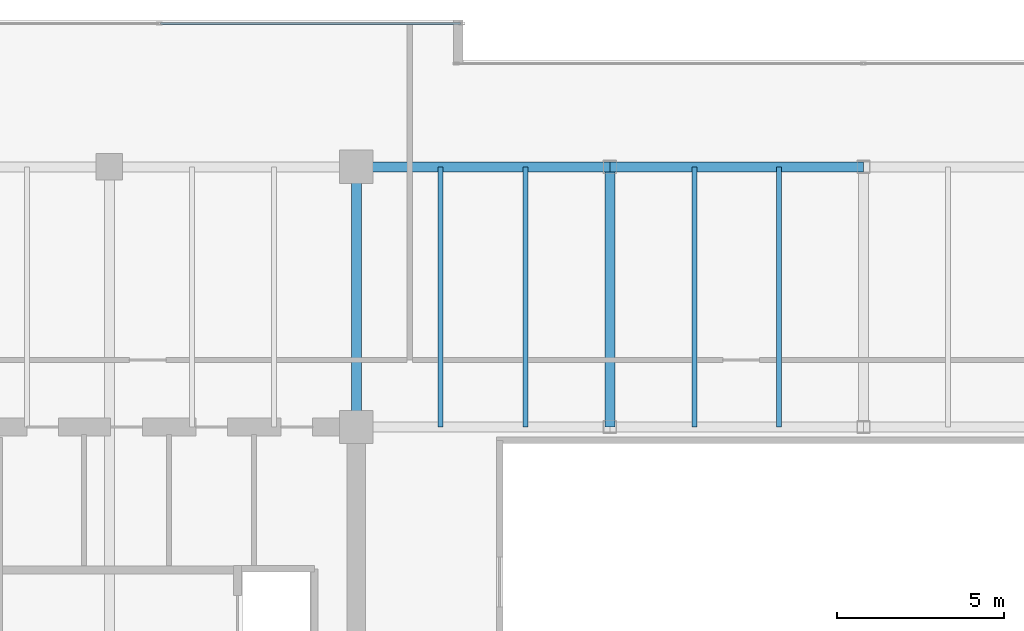
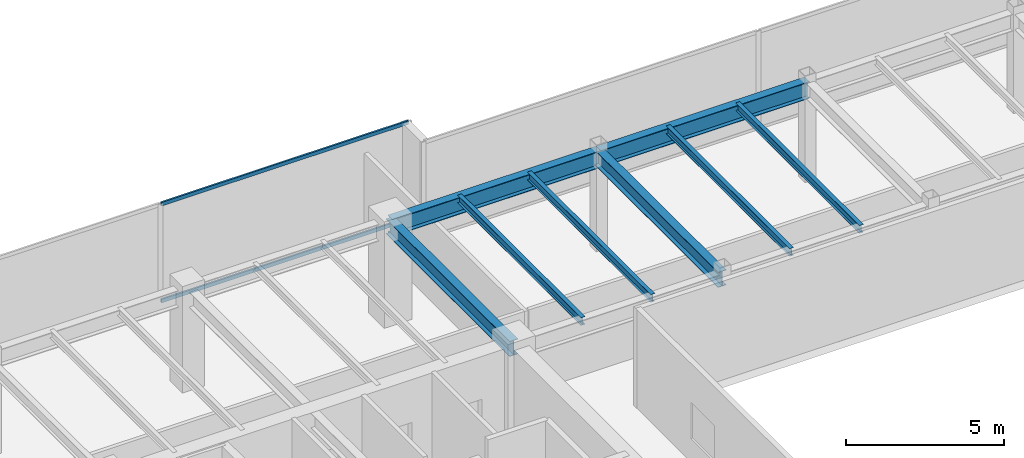
# One storey, part 16 of 33: 8 beams, 2 members, 1 element without a shape of its own.
"""IFC4 building model written with IfcOpenShell, lengths in metres."""

from ifc_helpers import new_model, si_unit, direction, frame, origin, origin_2d, place, context, subcontext, project, spatial, hollow_rectangle, i_section, extrude, source, transform, mapped, material, layer, layer_set, material_profile, profile_set, type_object, type_shapes, element, aggregate, save


model = new_model("IFC4")

# Units and contexts
model_context = context("Model", 3, precision=1e-05, world=origin(), true_north=direction((0.0, 1.0)))
body_context = subcontext(model_context, "Body", "Model", "MODEL_VIEW")
ifc_project = project(units=[si_unit("LENGTHUNIT", "METRE"), si_unit("AREAUNIT", "SQUARE_METRE"), si_unit("VOLUMEUNIT", "CUBIC_METRE"), si_unit("PLANEANGLEUNIT", "RADIAN"), si_unit("MASSUNIT", "GRAM", prefix="KILO")], contexts=[model_context])

# Site, building, storey
site_placement = place(None, origin())
site = spatial("IfcSite", under=ifc_project, at=site_placement, CompositionType="ELEMENT")
building_placement = place(site_placement, origin())
building = spatial("IfcBuilding", under=site, at=building_placement, Name="Haelvirn Gate Laboratories", CompositionType="ELEMENT")
storey_placement = place(building_placement, frame((0.0, 0.0, 209.60009765625)))
storey = spatial("IfcBuildingStorey", under=building, at=storey_placement, Name="L50", CompositionType="ELEMENT", Elevation=209.60009765625)

# Beams
ifc_material_1 = material(Name="Steel SM355", Category="steel")
ifc_material_profile_1 = material_profile(ifc_material_1, i_section(OverallWidth=0.14990234375, OverallDepth=0.300048828125, WebThickness=0.006591796875, FlangeThickness=0.009033203125, at=origin_2d()), Name="H-300x150x6.5x9")
ifc_profile_set_1 = profile_set([ifc_material_profile_1], Name="Steel SM355")
beam_type_1 = type_object("IfcBeamType", Name="BM-J-300", PredefinedType="JOIST", material=ifc_profile_set_1)
shared_shape_1 = source(origin(), body_context, "Body", "SweptSolid", [
    extrude(i_section(OverallWidth=0.14990234375, OverallDepth=0.300048828125, WebThickness=0.006591796875, FlangeThickness=0.009033203125, at=origin_2d()), origin(), (0.0, 0.0, 1.0), 7.800048828125),
])
type_shapes(beam_type_1, [shared_shape_1])
for number, where, z_axis, x_axis, name in (
    (1, (24.72998046875, 33.800048828125, 3.64990234375), (0.0, 1.0, 0.0), (-1.0, 0.0, 0.0), "L50 Composite Lab Joist North X24.73"),
    (2, (27.27001953125, 33.800048828125, 3.64990234375), (0.0, 1.0, 0.0), (-1.0, 0.0, 0.0), "L50 Composite Lab Joist North X27.27"),
    (3, (32.330078125, 33.800048828125, 3.64990234375), (0.0, 1.0, 0.0), (-1.0, 0.0, 0.0), "L50 Composite Lab Joist North X32.33"),
    (4, (34.8701171875, 33.800048828125, 3.64990234375), (0.0, 1.0, 0.0), (-1.0, 0.0, 0.0), "L50 Composite Lab Joist North X34.87"),
):
    element("IfcBeam", number, at=place(storey_placement, frame(where, z_axis=z_axis, x_axis=x_axis)), inside=storey, type_object=beam_type_1, Name=name, PredefinedType="JOIST", context=body_context, shape_type="MappedRepresentation", body=[
        mapped(shared_shape_1, transform((0.0, 0.0, 0.0), scale=1.0)),
    ])
ifc_material_profile_2 = material_profile(ifc_material_1, i_section(OverallWidth=0.300048828125, OverallDepth=0.587890625, WebThickness=0.011962890625, FlangeThickness=0.02001953125, at=origin_2d()), Name="H-588x300x12x20")
ifc_profile_set_2 = profile_set([ifc_material_profile_2], Name="Steel SM355")
beam_type_2 = type_object("IfcBeamType", Name="BM-G-588", PredefinedType="BEAM", material=ifc_profile_set_2)
shared_shape_2 = source(origin(), body_context, "Body", "SweptSolid", [
    extrude(i_section(OverallWidth=0.300048828125, OverallDepth=0.587890625, WebThickness=0.011962890625, FlangeThickness=0.02001953125, at=origin_2d()), origin(), (0.0, 0.0, 1.0), 7.800048828125),
])
type_shapes(beam_type_2, [shared_shape_2])
for number, where, z_axis, x_axis, name in (
    (5, (22.199951171875, 33.800048828125, 3.505859375), (0.0, 1.0, 0.0), (-1.0, 0.0, 0.0), "L50 Frame Girder X22.2 (33.8-41.6)"),
    (6, (29.800048828125, 33.800048828125, 3.505859375), (0.0, 1.0, 0.0), (-1.0, 0.0, 0.0), "L50 Frame Girder X29.8 (33.8-41.6)"),
):
    element("IfcBeam", number, at=place(storey_placement, frame(where, z_axis=z_axis, x_axis=x_axis)), inside=storey, type_object=beam_type_2, Name=name, PredefinedType="BEAM", context=body_context, shape_type="MappedRepresentation", body=[
        mapped(shared_shape_2, transform((0.0, 0.0, 0.0), scale=1.0)),
    ])
ifc_material_profile_3 = material_profile(ifc_material_1, i_section(OverallWidth=0.300048828125, OverallDepth=0.64990234375, WebThickness=0.012939453125, FlangeThickness=0.02197265625, at=origin_2d()), Name="H-650x300x13x22")
ifc_profile_set_3 = profile_set([ifc_material_profile_3], Name="Steel SM355")
beam_type_3 = type_object("IfcBeamType", Name="BM-G-650", PredefinedType="BEAM", material=ifc_profile_set_3)
shared_shape_3 = source(origin(), body_context, "Body", "SweptSolid", [
    extrude(i_section(OverallWidth=0.300048828125, OverallDepth=0.64990234375, WebThickness=0.012939453125, FlangeThickness=0.02197265625, at=origin_2d()), origin(), (0.0, 0.0, 1.0), 7.60009765625),
])
beam_1_placement = place(storey_placement, frame((22.199951171875, 41.60009765625, 3.474853515625), z_axis=(1.0, 0.0, 0.0), x_axis=(0.0, 1.0, 0.0)))
element("IfcBeam", 7, at=beam_1_placement, inside=storey, type_object=beam_type_3, Name="L50 Primary Girder Y41.6 (22.2-29.8)", PredefinedType="BEAM", context=body_context, shape_type="MappedRepresentation", body=[
    mapped(shared_shape_3, transform((0.0, 0.0, 0.0), scale=1.0)),
])
shared_shape_4 = source(origin(), body_context, "Body", "SweptSolid", [
    extrude(i_section(OverallWidth=0.300048828125, OverallDepth=0.64990234375, WebThickness=0.012939453125, FlangeThickness=0.02197265625, at=origin_2d()), origin(), (0.0, 0.0, 1.0), 7.599853515625),
])
type_shapes(beam_type_3, [shared_shape_3, shared_shape_4])
beam_2_placement = place(storey_placement, frame((29.800048828125, 41.60009765625, 3.474853515625), z_axis=(1.0, 0.0, 0.0), x_axis=(0.0, 1.0, 0.0)))
element("IfcBeam", 8, at=beam_2_placement, inside=storey, type_object=beam_type_3, Name="L50 Primary Girder Y41.6 (29.8-37.4)", PredefinedType="BEAM", context=body_context, shape_type="MappedRepresentation", body=[
    mapped(shared_shape_4, transform((0.0, 0.0, 0.0), scale=1.0)),
])

# Curtain wall, members
ifc_material_2 = material(Name="Anodised bronze unitised aluminium & triple low-E glass", Category="aluminium")
ifc_layer = layer(ifc_material_2, 0.176025390625, Name="CW-SYS-4")
ifc_layer_set = layer_set([ifc_layer], Name="Anodised bronze unitised aluminium & triple low-E glass")
curtain_wall_type = type_object("IfcCurtainWallType", Name="CW-SYS-4", PredefinedType="NOTDEFINED", material=ifc_layer_set)
curtain_wall_placement = place(storey_placement, origin())
curtain_wall = element("IfcCurtainWall", 9, at=curtain_wall_placement, inside=storey, type_object=curtain_wall_type, Name="L50 Unitised Curtain Wall CW-L50-P0-E14-1", PredefinedType="NOTDEFINED")
ifc_material_3 = material(Name="Extruded aluminium 6063-T6 (anodised bronze)", Category="aluminium")
ifc_material_profile_4 = material_profile(ifc_material_3, hollow_rectangle(XDim=0.06494140625, YDim=0.139892578125, WallThickness=0.00390625, at=origin_2d()), Name="CWT-140x65x4")
ifc_profile_set_4 = profile_set([ifc_material_profile_4], Name="Extruded aluminium 6063-T6 (anodised bronze)")
member_type = type_object("IfcMemberType", Name="CWT-T140", PredefinedType="USERDEFINED", material=ifc_profile_set_4)
shared_shape_5 = source(origin(), body_context, "Body", "SweptSolid", [
    extrude(hollow_rectangle(XDim=0.06494140625, YDim=0.139892578125, WallThickness=0.00390625, at=origin_2d()), origin(), (0.0, 0.0, 1.0), 8.9951171875),
])
type_shapes(member_type, [shared_shape_5])
member_1_placement = place(storey_placement, frame((16.3349609375, 45.89990234375, 0.032470703125), z_axis=(1.0, 0.0, 0.0), x_axis=(0.0, 1.0, 0.0)))
member_1 = element("IfcMember", 10, at=member_1_placement, type_object=member_type, Name="CW4 transom 2.1", ObjectType="TRANSOM", PredefinedType="USERDEFINED", context=body_context, shape_type="MappedRepresentation", body=[
    mapped(shared_shape_5, transform((0.0, 0.0, 0.0), scale=1.0)),
])
member_2_placement = place(storey_placement, frame((16.3349609375, 45.89990234375, 3.767333984375), z_axis=(1.0, 0.0, 0.0), x_axis=(0.0, 1.0, 0.0)))
member_2 = element("IfcMember", 11, at=member_2_placement, type_object=member_type, Name="CW4 transom 2.2", ObjectType="TRANSOM", PredefinedType="USERDEFINED", context=body_context, shape_type="MappedRepresentation", body=[
    mapped(shared_shape_5, transform((0.0, 0.0, 0.0), scale=1.0)),
])
aggregate(curtain_wall, [member_1, member_2])

save(model, "model.ifc")
